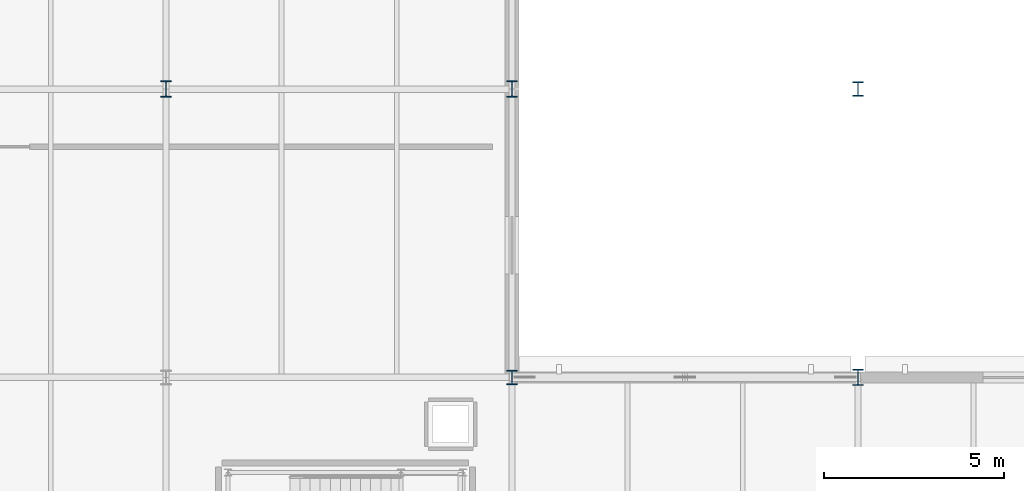
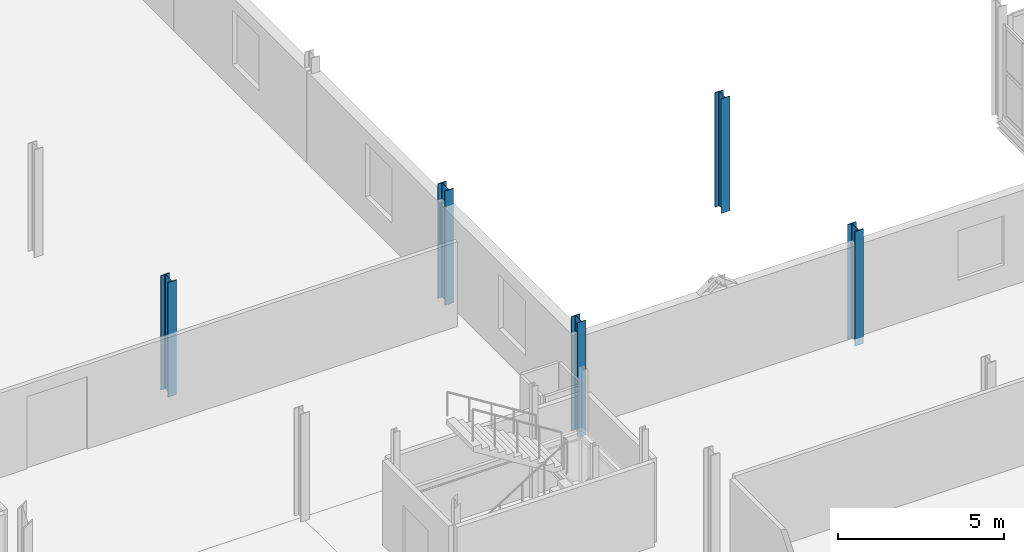
# One storey, part 12 of 85: 5 columns.
"""IFC4 building model written with IfcOpenShell, lengths in metres."""

from ifc_helpers import new_model, si_unit, direction, frame, origin, origin_2d, place, context, subcontext, project, spatial, i_section, extrude, material, material_profile, profile_set, type_object, element, save


model = new_model("IFC4")

# Units and contexts
model_context = context("Model", 3, precision=1e-05, world=origin(), true_north=direction((0.0, 1.0)))
body_context = subcontext(model_context, "Body", "Model", "MODEL_VIEW")
ifc_project = project(units=[si_unit("LENGTHUNIT", "METRE"), si_unit("AREAUNIT", "SQUARE_METRE"), si_unit("VOLUMEUNIT", "CUBIC_METRE"), si_unit("PLANEANGLEUNIT", "RADIAN"), si_unit("MASSUNIT", "GRAM", prefix="KILO")], contexts=[model_context])

# Site, building, storey
site_placement = place(None, origin())
site = spatial("IfcSite", under=ifc_project, at=site_placement, CompositionType="ELEMENT")
building_placement = place(site_placement, origin())
building = spatial("IfcBuilding", under=site, at=building_placement, Name="Alderhovde Museum", CompositionType="ELEMENT")
storey_placement = place(building_placement, frame((0.0, 0.0, 8.699951171875)))
storey = spatial("IfcBuildingStorey", under=building, at=storey_placement, Name="L02", CompositionType="ELEMENT", Elevation=8.699951171875)

# Columns
ifc_material_1 = material(Name="Steel S355J2", Category="steel")
ifc_material_profile_1 = material_profile(ifc_material_1, i_section(OverallWidth=0.300048828125, OverallDepth=0.39990234375, WebThickness=0.013427734375, FlangeThickness=0.02392578125, FilletRadius=0.027099609375, at=origin_2d()), Name="HEB 400")
ifc_profile_set_1 = profile_set([ifc_material_profile_1], Name="Steel S355J2")
column_type_1 = type_object("IfcColumnType", Name="COL-HEB400", PredefinedType="COLUMN", material=ifc_profile_set_1)
for number, where, z_axis, x_axis, name in (
    (1, (57.60009765625, 80.0, -0.260009765625), (0.0, 0.0, 1.0), (1.0, 0.0, 0.0), "L02 Column (57.6, 80.0)"),
    (2, (67.199951171875, 88.0, -0.260009765625), (0.0, 0.0, 1.0), (1.0, 0.0, 0.0), "L02 Column (67.2, 88.0)"),
):
    element("IfcColumn", number, at=place(storey_placement, frame(where, z_axis=z_axis, x_axis=x_axis)), inside=storey, type_object=column_type_1, Name=name, PredefinedType="COLUMN", context=body_context, shape_type="SweptSolid", body=[
        extrude(i_section(OverallWidth=0.300048828125, OverallDepth=0.39990234375, WebThickness=0.013427734375, FlangeThickness=0.02392578125, FilletRadius=0.027099609375, at=origin_2d()), origin(), (0.0, 0.0, 1.0), 4.199951171875),
    ])
ifc_material_2 = material(Name="Steel S355J2", Category="steel")
ifc_material_profile_2 = material_profile(ifc_material_2, i_section(OverallWidth=0.300048828125, OverallDepth=0.449951171875, WebThickness=0.013916015625, FlangeThickness=0.02587890625, FilletRadius=0.027099609375, at=origin_2d()), Name="HEB 450")
ifc_profile_set_2 = profile_set([ifc_material_profile_2], Name="Steel S355J2")
column_type_2 = type_object("IfcColumnType", Name="COL-HEB450", PredefinedType="COLUMN", material=ifc_profile_set_2)
for number, where, z_axis, x_axis, name in (
    (3, (48.0, 88.0, -0.260009765625), (0.0, 0.0, 1.0), (1.0, 0.0, 0.0), "L02 Column (48.0, 88.0)"),
    (4, (57.60009765625, 88.0, -0.260009765625), (0.0, 0.0, 1.0), (1.0, 0.0, 0.0), "L02 Column (57.6, 88.0)"),
    (5, (67.199951171875, 80.0, -0.260009765625), (0.0, 0.0, 1.0), (1.0, 0.0, 0.0), "L02 Column (67.2, 80.0)"),
):
    element("IfcColumn", number, at=place(storey_placement, frame(where, z_axis=z_axis, x_axis=x_axis)), inside=storey, type_object=column_type_2, Name=name, PredefinedType="COLUMN", context=body_context, shape_type="SweptSolid", body=[
        extrude(i_section(OverallWidth=0.300048828125, OverallDepth=0.449951171875, WebThickness=0.013916015625, FlangeThickness=0.02587890625, FilletRadius=0.027099609375, at=origin_2d()), origin(), (0.0, 0.0, 1.0), 4.199951171875),
    ])

save(model, "model.ifc")
